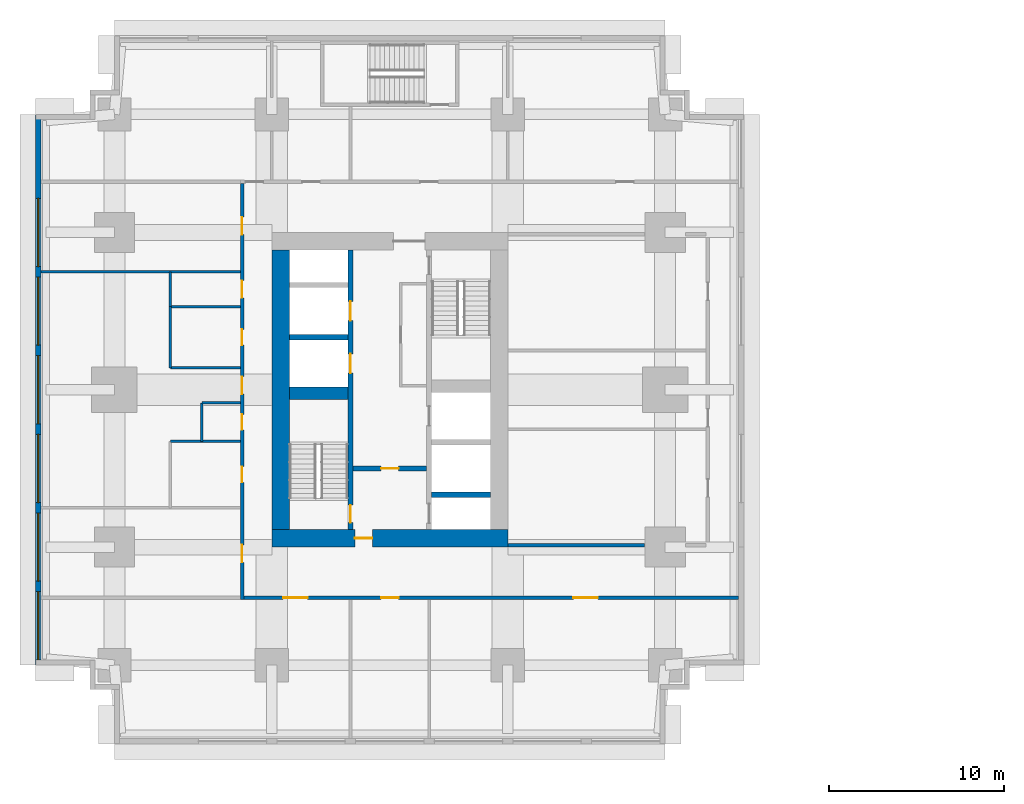
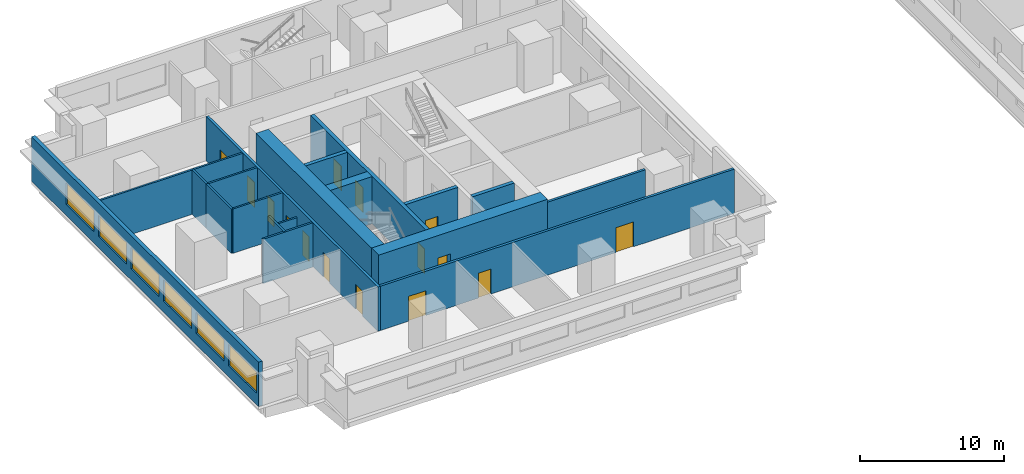
# One storey, part 3 of 11: 19 walls, 15 doors, 6 windows, 21 openings.
"""IFC4 building model written with IfcOpenShell, lengths in metres."""

from ifc_helpers import new_model, si_unit, direction, frame, frame_2d, origin, place, context, subcontext, project, spatial, rectangle, extrude, material, layer, layer_set, type_object, element, fill, save


model = new_model("IFC4")

# Units and contexts
model_context = context("Model", 3, precision=1e-05, world=origin(), true_north=direction((0.0, 1.0)))
body_context = subcontext(model_context, "Body", "Model", "MODEL_VIEW")
ifc_project = project(units=[si_unit("LENGTHUNIT", "METRE"), si_unit("AREAUNIT", "SQUARE_METRE"), si_unit("VOLUMEUNIT", "CUBIC_METRE"), si_unit("PLANEANGLEUNIT", "RADIAN"), si_unit("MASSUNIT", "GRAM", prefix="KILO")], contexts=[model_context])

# Site, building, storey
site_placement = place(None, origin())
site = spatial("IfcSite", under=ifc_project, at=site_placement, CompositionType="ELEMENT")
building_placement = place(site_placement, origin())
building = spatial("IfcBuilding", under=site, at=building_placement, Name="Namib Vertical Campus", CompositionType="ELEMENT")
storey_placement = place(building_placement, frame((0.0, 0.0, 101.0)))
storey = spatial("IfcBuildingStorey", under=building, at=storey_placement, Name="L23", CompositionType="ELEMENT", Elevation=101.0)

# Wall, openings, doors
ifc_material_1 = material(Name="Concrete C60/75", Category="concrete")
ifc_layer_1 = layer(ifc_material_1, 0.300048828125)
ifc_layer_set_1 = layer_set([ifc_layer_1], Name="Concrete C60/75")
wall_type_1 = type_object("IfcWallType", Name="Core inner wall 300", PredefinedType="SHEAR", material=ifc_layer_set_1)
wall_1_placement = place(storey_placement, frame((18.0, 12.25, 0.0), z_axis=(0.0, 0.0, 1.0), x_axis=(0.0, 1.0, 0.0)))
wall_1 = element("IfcWall", 1, at=wall_1_placement, inside=storey, type_object=wall_type_1, Name="Core inner wall A L23 W1", PredefinedType="SHEAR", context=body_context, shape_type="SweptSolid", body=[
    extrude(rectangle(XDim=16.0, YDim=0.300048828125, at=frame_2d((8.0, 0.0))), origin(), (0.0, 0.0, 1.0), 4.0),
])
opening_1_placement = place(wall_1_placement, frame((0.39990234375, 0.0, 0.0)))
opening_1 = element("IfcOpeningElement", 2, at=opening_1_placement, cuts=wall_1, Name="Opening FD1", PredefinedType="OPENING", context=body_context, shape_type="SweptSolid", body=[
    extrude(rectangle(XDim=1.0, YDim=2.10009765625, at=frame_2d((0.5, 1.050048828125))), frame((0.0, 0.159912109375, 0.0), z_axis=(0.0, -1.0, 0.0), x_axis=(1.0, 0.0, 0.0)), (0.0, 0.0, 1.0), 0.320068359375),
])
opening_2_placement = place(wall_1_placement, frame((8.949951171875, 0.0, 0.0)))
opening_2 = element("IfcOpeningElement", 3, at=opening_2_placement, cuts=wall_1, Name="Opening LD1", PredefinedType="OPENING", context=body_context, shape_type="SweptSolid", body=[
    extrude(rectangle(XDim=1.10009765625, YDim=2.10009765625, at=frame_2d((0.550048828125, 1.050048828125))), frame((0.0, 0.159912109375, 0.0), z_axis=(0.0, -1.0, 0.0), x_axis=(1.0, 0.0, 0.0)), (0.0, 0.0, 1.0), 0.320068359375),
])
opening_3_placement = place(wall_1_placement, frame((11.949951171875, 0.0, 0.0)))
opening_3 = element("IfcOpeningElement", 4, at=opening_3_placement, cuts=wall_1, Name="Opening LD1", PredefinedType="OPENING", context=body_context, shape_type="SweptSolid", body=[
    extrude(rectangle(XDim=1.10009765625, YDim=2.10009765625, at=frame_2d((0.550048828125, 1.050048828125))), frame((0.0, 0.159912109375, 0.0), z_axis=(0.0, -1.0, 0.0), x_axis=(1.0, 0.0, 0.0)), (0.0, 0.0, 1.0), 0.320068359375),
])
ifc_material_2 = material(Name="Steel fire door", Category="steel")
door_type_1 = type_object("IfcDoorType", Name="Fire door 1000x2100", OperationType="SINGLE_SWING_RIGHT", PredefinedType="DOOR", material=ifc_material_2)
door_1_placement = place(opening_1_placement, origin())
door_1 = element("IfcDoor", 5, at=door_1_placement, inside=storey, type_object=door_type_1, Name="Stair door FD1 A L23 S1", OperationType="SINGLE_SWING_LEFT", OverallHeight=2.10009765625, OverallWidth=1.0, PredefinedType="DOOR", context=body_context, shape_type="SweptSolid", body=[
    extrude(rectangle(XDim=1.0, YDim=2.10009765625, at=frame_2d((0.5, 1.050048828125))), frame((0.0, 0.02490234375, 0.0), z_axis=(0.0, -1.0, 0.0), x_axis=(1.0, 0.0, 0.0)), (0.0, 0.0, 1.0), 0.050048828125),
])
fill(opening_1, door_1)
ifc_material_3 = material(Name="Stainless steel lift door", Category="steel")
door_type_2 = type_object("IfcDoorType", Name="Lift landing door 1100x2100", OperationType="DOUBLE_DOOR_SLIDING", PredefinedType="DOOR", material=ifc_material_3)
door_2_placement = place(opening_2_placement, origin())
door_2 = element("IfcDoor", 6, at=door_2_placement, inside=storey, type_object=door_type_2, Name="Lift landing door LD1 A-P1 L23", OperationType="DOUBLE_DOOR_SLIDING", OverallHeight=2.10009765625, OverallWidth=1.10009765625, PredefinedType="DOOR", context=body_context, shape_type="SweptSolid", body=[
    extrude(rectangle(XDim=1.10009765625, YDim=2.10009765625, at=frame_2d((0.550048828125, 1.050048828125))), frame((0.0, 0.02490234375, 0.0), z_axis=(0.0, -1.0, 0.0), x_axis=(1.0, 0.0, 0.0)), (0.0, 0.0, 1.0), 0.050048828125),
])
fill(opening_2, door_2)
door_3_placement = place(opening_3_placement, origin())
door_3 = element("IfcDoor", 7, at=door_3_placement, inside=storey, type_object=door_type_2, Name="Lift landing door LD1 A-P2 L23", OperationType="DOUBLE_DOOR_SLIDING", OverallHeight=2.10009765625, OverallWidth=1.10009765625, PredefinedType="DOOR", context=body_context, shape_type="SweptSolid", body=[
    extrude(rectangle(XDim=1.10009765625, YDim=2.10009765625, at=frame_2d((0.550048828125, 1.050048828125))), frame((0.0, 0.02490234375, 0.0), z_axis=(0.0, -1.0, 0.0), x_axis=(1.0, 0.0, 0.0)), (0.0, 0.0, 1.0), 0.050048828125),
])
fill(opening_3, door_3)

# Wall, opening, door
wall_2_placement = place(storey_placement, frame((18.14990234375, 15.75, 0.0), z_axis=(0.0, 0.0, 1.0), x_axis=(1.0, 0.0, 0.0)))
wall_2 = element("IfcWall", 8, at=wall_2_placement, inside=storey, type_object=wall_type_1, Name="Core inner wall A L23 W4", PredefinedType="SHEAR", context=body_context, shape_type="SweptSolid", body=[
    extrude(rectangle(XDim=4.2001953125, YDim=0.300048828125, at=frame_2d((2.10009765625, 0.0))), origin(), (0.0, 0.0, 1.0), 4.0),
])
opening_4_placement = place(wall_2_placement, frame((1.60009765625, 0.0, 0.0)))
opening_4 = element("IfcOpeningElement", 9, at=opening_4_placement, cuts=wall_2, Name="Opening FD5", PredefinedType="OPENING", context=body_context, shape_type="SweptSolid", body=[
    extrude(rectangle(XDim=1.0, YDim=2.10009765625, at=frame_2d((0.5, 1.050048828125))), frame((0.0, 0.159912109375, 0.0), z_axis=(0.0, -1.0, 0.0), x_axis=(1.0, 0.0, 0.0)), (0.0, 0.0, 1.0), 0.320068359375),
])
ifc_material_4 = material(Name="Steel fire door", Category="steel")
door_type_3 = type_object("IfcDoorType", Name="Fire door 1000x2100 120 min", OperationType="SINGLE_SWING_RIGHT", PredefinedType="DOOR", material=ifc_material_4)
door_4_placement = place(opening_4_placement, frame((1.0, 0.0, 0.0), z_axis=(0.0, 0.0, 1.0), x_axis=(-1.0, 0.0, 0.0)))
door_4 = element("IfcDoor", 10, at=door_4_placement, inside=storey, type_object=door_type_3, Name="Lobby door FD5 A L23", OperationType="SINGLE_SWING_RIGHT", OverallHeight=2.10009765625, OverallWidth=1.0, PredefinedType="DOOR", context=body_context, shape_type="SweptSolid", body=[
    extrude(rectangle(XDim=1.0, YDim=2.10009765625, at=frame_2d((0.5, 1.050048828125))), frame((0.0, 0.02490234375, 0.0), z_axis=(0.0, -1.0, 0.0), x_axis=(1.0, 0.0, 0.0)), (0.0, 0.0, 1.0), 0.050048828125),
])
fill(opening_4, door_4)

# Walls
for number, where, z_axis, x_axis, name in (
    (11, (22.64990234375, 14.25, 0.0), (0.0, 0.0, 1.0), (1.0, 0.0, 0.0), "Core inner wall A L23 W5"),
    (12, (14.5, 23.25, 0.0), (0.0, 0.0, 1.0), (1.0, 0.0, 0.0), "Core inner wall A L23 W8"),
):
    element("IfcWall", number, at=place(storey_placement, frame(where, z_axis=z_axis, x_axis=x_axis)), inside=storey, type_object=wall_type_1, Name=name, PredefinedType="SHEAR", context=body_context, shape_type="SweptSolid", body=[
        extrude(rectangle(XDim=3.35009765625, YDim=0.300048828125, at=frame_2d((1.675048828125, 0.0))), origin(), (0.0, 0.0, 1.0), 4.0),
    ])
ifc_material_5 = material(Name="Concrete C60/75", Category="concrete")
ifc_layer_2 = layer(ifc_material_5, 0.699951171875)
ifc_layer_set_2 = layer_set([ifc_layer_2], Name="Concrete C60/75")
wall_type_2 = type_object("IfcWallType", Name="Core shear wall 700", PredefinedType="SHEAR", material=ifc_layer_set_2)
wall_3_placement = place(storey_placement, frame((14.5, 20.050048828125, 0.0), z_axis=(0.0, 0.0, 1.0), x_axis=(1.0, 0.0, 0.0)))
element("IfcWall", 13, at=wall_3_placement, inside=storey, type_object=wall_type_2, Name="Core shear wall A L23 W3", PredefinedType="SHEAR", context=body_context, shape_type="SweptSolid", body=[
    extrude(rectangle(XDim=3.35009765625, YDim=0.699951171875, at=frame_2d((1.675048828125, 0.0))), origin(), (0.0, 0.0, 1.0), 4.0),
])

# Wall, opening, door
ifc_material_6 = material(Name="Concrete C60/75", Category="concrete")
ifc_layer_3 = layer(ifc_material_6, 1.0)
ifc_layer_set_3 = layer_set([ifc_layer_3], Name="Concrete C60/75")
wall_type_3 = type_object("IfcWallType", Name="Core wall 1000", PredefinedType="SHEAR", material=ifc_layer_set_3)
wall_4_placement = place(storey_placement, frame((13.5, 11.75, 0.0), z_axis=(0.0, 0.0, 1.0), x_axis=(1.0, 0.0, 0.0)))
wall_4 = element("IfcWall", 14, at=wall_4_placement, inside=storey, type_object=wall_type_3, Name="Core wall A L23 1", PredefinedType="SHEAR", context=body_context, shape_type="SweptSolid", body=[
    extrude(rectangle(XDim=13.5, YDim=1.0, at=frame_2d((6.75, 0.0))), origin(), (0.0, 0.0, 1.0), 4.0),
])
opening_5_placement = place(wall_4_placement, frame((4.75, 0.0, 0.0)))
opening_5 = element("IfcOpeningElement", 15, at=opening_5_placement, cuts=wall_4, Name="Opening FD5", PredefinedType="OPENING", context=body_context, shape_type="SweptSolid", body=[
    extrude(rectangle(XDim=1.0, YDim=2.10009765625, at=frame_2d((0.5, 1.050048828125))), frame((0.0, 0.510009765625, 0.0), z_axis=(0.0, -1.0, 0.0), x_axis=(1.0, 0.0, 0.0)), (0.0, 0.0, 1.0), 1.02001953125),
])
door_5_placement = place(opening_5_placement, origin())
door_5 = element("IfcDoor", 16, at=door_5_placement, inside=storey, type_object=door_type_3, Name="Firefighting lobby door FD5 A L23", OperationType="SINGLE_SWING_LEFT", OverallHeight=2.10009765625, OverallWidth=1.0, PredefinedType="DOOR", context=body_context, shape_type="SweptSolid", body=[
    extrude(rectangle(XDim=1.0, YDim=2.10009765625, at=frame_2d((0.5, 1.050048828125))), frame((0.0, 0.02490234375, 0.0), z_axis=(0.0, -1.0, 0.0), x_axis=(1.0, 0.0, 0.0)), (0.0, 0.0, 1.0), 0.050048828125),
])
fill(opening_5, door_5)

# Wall
wall_5_placement = place(storey_placement, frame((14.0, 28.25, 0.0), z_axis=(0.0, 0.0, 1.0), x_axis=(0.0, -1.0, 0.0)))
element("IfcWall", 17, at=wall_5_placement, inside=storey, type_object=wall_type_3, Name="Core wall A L23 4", PredefinedType="SHEAR", context=body_context, shape_type="SweptSolid", body=[
    extrude(rectangle(XDim=16.0, YDim=1.0, at=frame_2d((8.0, 0.0))), origin(), (0.0, 0.0, 1.0), 4.0),
])

# Wall, openings, doors
ifc_material_7 = material(Name="Concrete masonry", Category="masonry")
ifc_layer_4 = layer(ifc_material_7, 0.199951171875)
ifc_layer_set_4 = layer_set([ifc_layer_4], Name="Corridor wall 200")
wall_type_4 = type_object("IfcWallType", Name="Corridor wall 200", PredefinedType="SOLIDWALL", material=ifc_layer_set_4)
wall_6_placement = place(storey_placement, frame((11.89990234375, 8.35009765625, 0.0), z_axis=(0.0, 0.0, 1.0), x_axis=(1.0, 0.0, 0.0)))
wall_6 = element("IfcWall", 18, at=wall_6_placement, inside=storey, type_object=wall_type_4, Name="Corridor wall A L23 CS", PredefinedType="SOLIDWALL", context=body_context, shape_type="SweptSolid", body=[
    extrude(rectangle(XDim=28.300048828125, YDim=0.199951171875, at=frame_2d((14.14990234375, 0.0))), origin(), (0.0, 0.0, 1.0), 3.75),
])
opening_6_placement = place(wall_6_placement, frame((2.25, 0.0, 0.0)))
opening_6 = element("IfcOpeningElement", 19, at=opening_6_placement, cuts=wall_6, Name="Opening LB1", PredefinedType="OPENING", context=body_context, shape_type="SweptSolid", body=[
    extrude(rectangle(XDim=1.39990234375, YDim=2.10009765625, at=frame_2d((0.699951171875, 1.050048828125))), frame((0.0, 0.10986328125, 0.0), z_axis=(0.0, -1.0, 0.0), x_axis=(1.0, 0.0, 0.0)), (0.0, 0.0, 1.0), 0.219970703125),
])
opening_7_placement = place(wall_6_placement, frame((7.85009765625, 0.0, 0.0)))
opening_7 = element("IfcOpeningElement", 20, at=opening_7_placement, cuts=wall_6, Name="Opening CD1", PredefinedType="OPENING", context=body_context, shape_type="SweptSolid", body=[
    extrude(rectangle(XDim=1.0, YDim=2.10009765625, at=frame_2d((0.5, 1.050048828125))), frame((0.0, 0.10986328125, 0.0), z_axis=(0.0, -1.0, 0.0), x_axis=(1.0, 0.0, 0.0)), (0.0, 0.0, 1.0), 0.219970703125),
])
opening_8_placement = place(wall_6_placement, frame((18.85009765625, 0.0, 0.0)))
opening_8 = element("IfcOpeningElement", 21, at=opening_8_placement, cuts=wall_6, Name="Opening LB1", PredefinedType="OPENING", context=body_context, shape_type="SweptSolid", body=[
    extrude(rectangle(XDim=1.39990234375, YDim=2.10009765625, at=frame_2d((0.699951171875, 1.050048828125))), frame((0.0, 0.10986328125, 0.0), z_axis=(0.0, -1.0, 0.0), x_axis=(1.0, 0.0, 0.0)), (0.0, 0.0, 1.0), 0.219970703125),
])
ifc_material_8 = material(Name="Timber fire door leaf", Category="wood")
door_type_4 = type_object("IfcDoorType", Name="Corridor door 1000x2100 20 min", OperationType="SINGLE_SWING_LEFT", PredefinedType="DOOR", material=ifc_material_8)
door_6_placement = place(opening_7_placement, frame((1.0, 0.0, 0.0), z_axis=(0.0, 0.0, 1.0), x_axis=(-1.0, 0.0, 0.0)))
door_6 = element("IfcDoor", 22, at=door_6_placement, inside=storey, type_object=door_type_4, Name="Door CD1 A23-02", OperationType="SINGLE_SWING_RIGHT", OverallHeight=2.10009765625, OverallWidth=1.0, PredefinedType="DOOR", context=body_context, shape_type="SweptSolid", body=[
    extrude(rectangle(XDim=1.0, YDim=2.10009765625, at=frame_2d((0.5, 1.050048828125))), frame((0.0, 0.02490234375, 0.0), z_axis=(0.0, -1.0, 0.0), x_axis=(1.0, 0.0, 0.0)), (0.0, 0.0, 1.0), 0.050048828125),
])
fill(opening_7, door_6)
ifc_material_9 = material(Name="Timber fire door leaf", Category="wood")
door_type_5 = type_object("IfcDoorType", Name="Laboratory door 1400x2100 leaf and a half", OperationType="DOUBLE_DOOR_SINGLE_SWING", PredefinedType="DOOR", material=ifc_material_9)
door_7_placement = place(opening_6_placement, frame((1.39990234375, 0.0, 0.0), z_axis=(0.0, 0.0, 1.0), x_axis=(-1.0, 0.0, 0.0)))
door_7 = element("IfcDoor", 23, at=door_7_placement, inside=storey, type_object=door_type_5, Name="Door LB1 A23-01", OperationType="DOUBLE_DOOR_SINGLE_SWING", OverallHeight=2.10009765625, OverallWidth=1.39990234375, PredefinedType="DOOR", context=body_context, shape_type="SweptSolid", body=[
    extrude(rectangle(XDim=1.39990234375, YDim=2.10009765625, at=frame_2d((0.699951171875, 1.050048828125))), frame((0.0, 0.02490234375, 0.0), z_axis=(0.0, -1.0, 0.0), x_axis=(1.0, 0.0, 0.0)), (0.0, 0.0, 1.0), 0.050048828125),
])
fill(opening_6, door_7)
door_8_placement = place(opening_8_placement, frame((1.39990234375, 0.0, 0.0), z_axis=(0.0, 0.0, 1.0), x_axis=(-1.0, 0.0, 0.0)))
door_8 = element("IfcDoor", 24, at=door_8_placement, inside=storey, type_object=door_type_5, Name="Door LB1 A23-03", OperationType="DOUBLE_DOOR_SINGLE_SWING", OverallHeight=2.10009765625, OverallWidth=1.39990234375, PredefinedType="DOOR", context=body_context, shape_type="SweptSolid", body=[
    extrude(rectangle(XDim=1.39990234375, YDim=2.10009765625, at=frame_2d((0.699951171875, 1.050048828125))), frame((0.0, 0.02490234375, 0.0), z_axis=(0.0, -1.0, 0.0), x_axis=(1.0, 0.0, 0.0)), (0.0, 0.0, 1.0), 0.050048828125),
])
fill(opening_8, door_8)

wall_7_placement = place(storey_placement, frame((11.800048828125, 32.050048828125, 0.0), z_axis=(0.0, 0.0, 1.0), x_axis=(0.0, -1.0, 0.0)))
wall_7 = element("IfcWall", 25, at=wall_7_placement, inside=storey, type_object=wall_type_4, Name="Corridor wall A L23 CW", PredefinedType="SOLIDWALL", context=body_context, shape_type="SweptSolid", body=[
    extrude(rectangle(XDim=23.800048828125, YDim=0.199951171875, at=frame_2d((11.89990234375, 0.0))), origin(), (0.0, 0.0, 1.0), 3.75),
])
opening_9_placement = place(wall_7_placement, frame((20.675048828125, 0.0, 0.0)))
opening_9 = element("IfcOpeningElement", 26, at=opening_9_placement, cuts=wall_7, Name="Opening CD1", PredefinedType="OPENING", context=body_context, shape_type="SweptSolid", body=[
    extrude(rectangle(XDim=1.0, YDim=2.10009765625, at=frame_2d((0.5, 1.050048828125))), frame((0.0, 0.10986328125, 0.0), z_axis=(0.0, -1.0, 0.0), x_axis=(1.0, 0.0, 0.0)), (0.0, 0.0, 1.0), 0.219970703125),
])
opening_10_placement = place(wall_7_placement, frame((16.199951171875, 0.0, 0.0)))
opening_10 = element("IfcOpeningElement", 27, at=opening_10_placement, cuts=wall_7, Name="Opening CD3", PredefinedType="OPENING", context=body_context, shape_type="SweptSolid", body=[
    extrude(rectangle(XDim=0.89990234375, YDim=2.10009765625, at=frame_2d((0.449951171875, 1.050048828125))), frame((0.0, 0.10986328125, 0.0), z_axis=(0.0, -1.0, 0.0), x_axis=(1.0, 0.0, 0.0)), (0.0, 0.0, 1.0), 0.219970703125),
])
opening_11_placement = place(wall_7_placement, frame((13.199951171875, 0.0, 0.0)))
opening_11 = element("IfcOpeningElement", 28, at=opening_11_placement, cuts=wall_7, Name="Opening CD3", PredefinedType="OPENING", context=body_context, shape_type="SweptSolid", body=[
    extrude(rectangle(XDim=0.89990234375, YDim=2.10009765625, at=frame_2d((0.449951171875, 1.050048828125))), frame((0.0, 0.10986328125, 0.0), z_axis=(0.0, -1.0, 0.0), x_axis=(1.0, 0.0, 0.0)), (0.0, 0.0, 1.0), 0.219970703125),
])
opening_12_placement = place(wall_7_placement, frame((8.35009765625, 0.0, 0.0)))
opening_12 = element("IfcOpeningElement", 29, at=opening_12_placement, cuts=wall_7, Name="Opening CD3", PredefinedType="OPENING", context=body_context, shape_type="SweptSolid", body=[
    extrude(rectangle(XDim=0.89990234375, YDim=2.10009765625, at=frame_2d((0.449951171875, 1.050048828125))), frame((0.0, 0.10986328125, 0.0), z_axis=(0.0, -1.0, 0.0), x_axis=(1.0, 0.0, 0.0)), (0.0, 0.0, 1.0), 0.219970703125),
])
opening_13_placement = place(wall_7_placement, frame((5.550048828125, 0.0, 0.0)))
opening_13 = element("IfcOpeningElement", 30, at=opening_13_placement, cuts=wall_7, Name="Opening CD1", PredefinedType="OPENING", context=body_context, shape_type="SweptSolid", body=[
    extrude(rectangle(XDim=1.0, YDim=2.10009765625, at=frame_2d((0.5, 1.050048828125))), frame((0.0, 0.10986328125, 0.0), z_axis=(0.0, -1.0, 0.0), x_axis=(1.0, 0.0, 0.0)), (0.0, 0.0, 1.0), 0.219970703125),
])
opening_14_placement = place(wall_7_placement, frame((11.050048828125, 0.0, 0.0)))
opening_14 = element("IfcOpeningElement", 31, at=opening_14_placement, cuts=wall_7, Name="Opening CD1", PredefinedType="OPENING", context=body_context, shape_type="SweptSolid", body=[
    extrude(rectangle(XDim=1.0, YDim=2.10009765625, at=frame_2d((0.5, 1.050048828125))), frame((0.0, 0.10986328125, 0.0), z_axis=(0.0, -1.0, 0.0), x_axis=(1.0, 0.0, 0.0)), (0.0, 0.0, 1.0), 0.219970703125),
])
opening_15_placement = place(wall_7_placement, frame((1.925048828125, 0.0, 0.0)))
opening_15 = element("IfcOpeningElement", 32, at=opening_15_placement, cuts=wall_7, Name="Opening CD1", PredefinedType="OPENING", context=body_context, shape_type="SweptSolid", body=[
    extrude(rectangle(XDim=1.0, YDim=2.10009765625, at=frame_2d((0.5, 1.050048828125))), frame((0.0, 0.10986328125, 0.0), z_axis=(0.0, -1.0, 0.0), x_axis=(1.0, 0.0, 0.0)), (0.0, 0.0, 1.0), 0.219970703125),
])
door_9_placement = place(opening_9_placement, frame((1.0, 0.0, 0.0), z_axis=(0.0, 0.0, 1.0), x_axis=(-1.0, 0.0, 0.0)))
door_9 = element("IfcDoor", 33, at=door_9_placement, inside=storey, type_object=door_type_4, Name="Door CD1 A23-11", OperationType="SINGLE_SWING_RIGHT", OverallHeight=2.10009765625, OverallWidth=1.0, PredefinedType="DOOR", context=body_context, shape_type="SweptSolid", body=[
    extrude(rectangle(XDim=1.0, YDim=2.10009765625, at=frame_2d((0.5, 1.050048828125))), frame((0.0, 0.02490234375, 0.0), z_axis=(0.0, -1.0, 0.0), x_axis=(1.0, 0.0, 0.0)), (0.0, 0.0, 1.0), 0.050048828125),
])
fill(opening_9, door_9)
door_10_placement = place(opening_13_placement, frame((1.0, 0.0, 0.0), z_axis=(0.0, 0.0, 1.0), x_axis=(-1.0, 0.0, 0.0)))
door_10 = element("IfcDoor", 34, at=door_10_placement, inside=storey, type_object=door_type_4, Name="Door CD1 A23-15", OperationType="SINGLE_SWING_RIGHT", OverallHeight=2.10009765625, OverallWidth=1.0, PredefinedType="DOOR", context=body_context, shape_type="SweptSolid", body=[
    extrude(rectangle(XDim=1.0, YDim=2.10009765625, at=frame_2d((0.5, 1.050048828125))), frame((0.0, 0.02490234375, 0.0), z_axis=(0.0, -1.0, 0.0), x_axis=(1.0, 0.0, 0.0)), (0.0, 0.0, 1.0), 0.050048828125),
])
fill(opening_13, door_10)
door_11_placement = place(opening_14_placement, frame((1.0, 0.0, 0.0), z_axis=(0.0, 0.0, 1.0), x_axis=(-1.0, 0.0, 0.0)))
door_11 = element("IfcDoor", 35, at=door_11_placement, inside=storey, type_object=door_type_4, Name="Door CD1 A23-16", OperationType="SINGLE_SWING_RIGHT", OverallHeight=2.10009765625, OverallWidth=1.0, PredefinedType="DOOR", context=body_context, shape_type="SweptSolid", body=[
    extrude(rectangle(XDim=1.0, YDim=2.10009765625, at=frame_2d((0.5, 1.050048828125))), frame((0.0, 0.02490234375, 0.0), z_axis=(0.0, -1.0, 0.0), x_axis=(1.0, 0.0, 0.0)), (0.0, 0.0, 1.0), 0.050048828125),
])
fill(opening_14, door_11)
door_12_placement = place(opening_15_placement, frame((1.0, 0.0, 0.0), z_axis=(0.0, 0.0, 1.0), x_axis=(-1.0, 0.0, 0.0)))
door_12 = element("IfcDoor", 36, at=door_12_placement, inside=storey, type_object=door_type_4, Name="Door CD1 A23-17", OperationType="SINGLE_SWING_RIGHT", OverallHeight=2.10009765625, OverallWidth=1.0, PredefinedType="DOOR", context=body_context, shape_type="SweptSolid", body=[
    extrude(rectangle(XDim=1.0, YDim=2.10009765625, at=frame_2d((0.5, 1.050048828125))), frame((0.0, 0.02490234375, 0.0), z_axis=(0.0, -1.0, 0.0), x_axis=(1.0, 0.0, 0.0)), (0.0, 0.0, 1.0), 0.050048828125),
])
fill(opening_15, door_12)
ifc_material_10 = material(Name="Timber fire door leaf", Category="wood")
door_type_6 = type_object("IfcDoorType", Name="Corridor toilet door 900x2100 20 min", OperationType="SINGLE_SWING_LEFT", PredefinedType="DOOR", material=ifc_material_10)
door_13_placement = place(opening_10_placement, frame((0.89990234375, 0.0, 0.0), z_axis=(0.0, 0.0, 1.0), x_axis=(-1.0, 0.0, 0.0)))
door_13 = element("IfcDoor", 37, at=door_13_placement, inside=storey, type_object=door_type_6, Name="Door CD3 A23-12", OperationType="SINGLE_SWING_RIGHT", OverallHeight=2.10009765625, OverallWidth=0.89990234375, PredefinedType="DOOR", context=body_context, shape_type="SweptSolid", body=[
    extrude(rectangle(XDim=0.89990234375, YDim=2.10009765625, at=frame_2d((0.449951171875, 1.050048828125))), frame((0.0, 0.02490234375, 0.0), z_axis=(0.0, -1.0, 0.0), x_axis=(1.0, 0.0, 0.0)), (0.0, 0.0, 1.0), 0.050048828125),
])
fill(opening_10, door_13)
door_14_placement = place(opening_11_placement, frame((0.89990234375, 0.0, 0.0), z_axis=(0.0, 0.0, 1.0), x_axis=(-1.0, 0.0, 0.0)))
door_14 = element("IfcDoor", 38, at=door_14_placement, inside=storey, type_object=door_type_6, Name="Door CD3 A23-13", OperationType="SINGLE_SWING_RIGHT", OverallHeight=2.10009765625, OverallWidth=0.89990234375, PredefinedType="DOOR", context=body_context, shape_type="SweptSolid", body=[
    extrude(rectangle(XDim=0.89990234375, YDim=2.10009765625, at=frame_2d((0.449951171875, 1.050048828125))), frame((0.0, 0.02490234375, 0.0), z_axis=(0.0, -1.0, 0.0), x_axis=(1.0, 0.0, 0.0)), (0.0, 0.0, 1.0), 0.050048828125),
])
fill(opening_11, door_14)
door_15_placement = place(opening_12_placement, frame((0.89990234375, 0.0, 0.0), z_axis=(0.0, 0.0, 1.0), x_axis=(-1.0, 0.0, 0.0)))
door_15 = element("IfcDoor", 39, at=door_15_placement, inside=storey, type_object=door_type_6, Name="Door CD3 A23-14", OperationType="SINGLE_SWING_RIGHT", OverallHeight=2.10009765625, OverallWidth=0.89990234375, PredefinedType="DOOR", context=body_context, shape_type="SweptSolid", body=[
    extrude(rectangle(XDim=0.89990234375, YDim=2.10009765625, at=frame_2d((0.449951171875, 1.050048828125))), frame((0.0, 0.02490234375, 0.0), z_axis=(0.0, -1.0, 0.0), x_axis=(1.0, 0.0, 0.0)), (0.0, 0.0, 1.0), 0.050048828125),
])
fill(opening_12, door_15)

# Wall
wall_8_placement = place(storey_placement, frame((27.0, 11.35009765625, 0.0), z_axis=(0.0, 0.0, 1.0), x_axis=(1.0, 0.0, 0.0)))
element("IfcWall", 40, at=wall_8_placement, inside=storey, type_object=wall_type_4, Name="Corridor wall A L23 GS", PredefinedType="SOLIDWALL", context=body_context, shape_type="SweptSolid", body=[
    extrude(rectangle(XDim=7.830078125, YDim=0.199951171875, at=frame_2d((3.9150390625, 0.0))), origin(), (0.0, 0.0, 1.0), 3.75),
])

# Wall, openings, windows
ifc_material_11 = material(Name="Concrete C40/50", Category="concrete")
ifc_layer_5 = layer(ifc_material_11, 0.300048828125)
ifc_layer_set_5 = layer_set([ifc_layer_5], Name="Concrete C40/50")
wall_type_5 = type_object("IfcWallType", Name="External wall 300 board-marked concrete", PredefinedType="STANDARD", material=ifc_layer_set_5)
wall_9_placement = place(storey_placement, frame((0.14990234375, 35.97998046875, 0.0), z_axis=(0.0, 0.0, 1.0), x_axis=(0.0, -1.0, 0.0)))
wall_9 = element("IfcWall", 41, at=wall_9_placement, inside=storey, type_object=wall_type_5, Name="External wall L23 F16", PredefinedType="STANDARD", context=body_context, shape_type="SweptSolid", body=[
    extrude(rectangle(XDim=31.4599609375, YDim=0.300048828125, at=frame_2d((15.72998046875, 0.0))), origin(), (0.0, 0.0, 1.0), 3.75),
])
opening_16_placement = place(wall_9_placement, frame((27.280029296875, 0.0, 0.949951171875)))
opening_16 = element("IfcOpeningElement", 42, at=opening_16_placement, cuts=wall_9, Name="Opening W3", PredefinedType="OPENING", context=body_context, shape_type="SweptSolid", body=[
    extrude(rectangle(XDim=3.89990234375, YDim=1.800048828125, at=frame_2d((1.949951171875, 0.89990234375))), frame((0.0, 0.159912109375, 0.0), z_axis=(0.0, -1.0, 0.0), x_axis=(1.0, 0.0, 0.0)), (0.0, 0.0, 1.0), 0.320068359375),
])
opening_17_placement = place(wall_9_placement, frame((22.780029296875, 0.0, 0.949951171875)))
opening_17 = element("IfcOpeningElement", 43, at=opening_17_placement, cuts=wall_9, Name="Opening W3", PredefinedType="OPENING", context=body_context, shape_type="SweptSolid", body=[
    extrude(rectangle(XDim=3.89990234375, YDim=1.800048828125, at=frame_2d((1.949951171875, 0.89990234375))), frame((0.0, 0.159912109375, 0.0), z_axis=(0.0, -1.0, 0.0), x_axis=(1.0, 0.0, 0.0)), (0.0, 0.0, 1.0), 0.320068359375),
])
opening_18_placement = place(wall_9_placement, frame((18.280029296875, 0.0, 0.949951171875)))
opening_18 = element("IfcOpeningElement", 44, at=opening_18_placement, cuts=wall_9, Name="Opening W3", PredefinedType="OPENING", context=body_context, shape_type="SweptSolid", body=[
    extrude(rectangle(XDim=3.89990234375, YDim=1.800048828125, at=frame_2d((1.949951171875, 0.89990234375))), frame((0.0, 0.159912109375, 0.0), z_axis=(0.0, -1.0, 0.0), x_axis=(1.0, 0.0, 0.0)), (0.0, 0.0, 1.0), 0.320068359375),
])
opening_19_placement = place(wall_9_placement, frame((13.780029296875, 0.0, 0.949951171875)))
opening_19 = element("IfcOpeningElement", 45, at=opening_19_placement, cuts=wall_9, Name="Opening W3", PredefinedType="OPENING", context=body_context, shape_type="SweptSolid", body=[
    extrude(rectangle(XDim=3.89990234375, YDim=1.800048828125, at=frame_2d((1.949951171875, 0.89990234375))), frame((0.0, 0.159912109375, 0.0), z_axis=(0.0, -1.0, 0.0), x_axis=(1.0, 0.0, 0.0)), (0.0, 0.0, 1.0), 0.320068359375),
])
opening_20_placement = place(wall_9_placement, frame((9.280029296875, 0.0, 0.949951171875)))
opening_20 = element("IfcOpeningElement", 46, at=opening_20_placement, cuts=wall_9, Name="Opening W3", PredefinedType="OPENING", context=body_context, shape_type="SweptSolid", body=[
    extrude(rectangle(XDim=3.89990234375, YDim=1.800048828125, at=frame_2d((1.949951171875, 0.89990234375))), frame((0.0, 0.159912109375, 0.0), z_axis=(0.0, -1.0, 0.0), x_axis=(1.0, 0.0, 0.0)), (0.0, 0.0, 1.0), 0.320068359375),
])
opening_21_placement = place(wall_9_placement, frame((4.780029296875, 0.0, 0.949951171875)))
opening_21 = element("IfcOpeningElement", 47, at=opening_21_placement, cuts=wall_9, Name="Opening W3", PredefinedType="OPENING", context=body_context, shape_type="SweptSolid", body=[
    extrude(rectangle(XDim=3.89990234375, YDim=1.800048828125, at=frame_2d((1.949951171875, 0.89990234375))), frame((0.0, 0.159912109375, 0.0), z_axis=(0.0, -1.0, 0.0), x_axis=(1.0, 0.0, 0.0)), (0.0, 0.0, 1.0), 0.320068359375),
])
ifc_material_12 = material(Name="Dark tinted glass in black aluminium frame", Category="aluminium")
window_type = type_object("IfcWindowType", Name="Ribbon window 3900x1800", PartitioningType="SINGLE_PANEL", PredefinedType="WINDOW", material=ifc_material_12)
window_1_placement = place(opening_16_placement, origin())
window_1 = element("IfcWindow", 48, at=window_1_placement, inside=storey, type_object=window_type, Name="Window W3 L23 F16-1", OverallHeight=1.800048828125, OverallWidth=3.89990234375, PartitioningType="SINGLE_PANEL", PredefinedType="WINDOW", context=body_context, shape_type="SweptSolid", body=[
    extrude(rectangle(XDim=3.89990234375, YDim=1.800048828125, at=frame_2d((1.949951171875, 0.89990234375))), frame((0.0, 0.030029296875, 0.0), z_axis=(0.0, -1.0, 0.0), x_axis=(1.0, 0.0, 0.0)), (0.0, 0.0, 1.0), 0.06005859375),
])
fill(opening_16, window_1)
window_2_placement = place(opening_17_placement, origin())
window_2 = element("IfcWindow", 49, at=window_2_placement, inside=storey, type_object=window_type, Name="Window W3 L23 F16-2", OverallHeight=1.800048828125, OverallWidth=3.89990234375, PartitioningType="SINGLE_PANEL", PredefinedType="WINDOW", context=body_context, shape_type="SweptSolid", body=[
    extrude(rectangle(XDim=3.89990234375, YDim=1.800048828125, at=frame_2d((1.949951171875, 0.89990234375))), frame((0.0, 0.030029296875, 0.0), z_axis=(0.0, -1.0, 0.0), x_axis=(1.0, 0.0, 0.0)), (0.0, 0.0, 1.0), 0.06005859375),
])
fill(opening_17, window_2)
window_3_placement = place(opening_18_placement, origin())
window_3 = element("IfcWindow", 50, at=window_3_placement, inside=storey, type_object=window_type, Name="Window W3 L23 F16-3", OverallHeight=1.800048828125, OverallWidth=3.89990234375, PartitioningType="SINGLE_PANEL", PredefinedType="WINDOW", context=body_context, shape_type="SweptSolid", body=[
    extrude(rectangle(XDim=3.89990234375, YDim=1.800048828125, at=frame_2d((1.949951171875, 0.89990234375))), frame((0.0, 0.030029296875, 0.0), z_axis=(0.0, -1.0, 0.0), x_axis=(1.0, 0.0, 0.0)), (0.0, 0.0, 1.0), 0.06005859375),
])
fill(opening_18, window_3)
window_4_placement = place(opening_19_placement, origin())
window_4 = element("IfcWindow", 51, at=window_4_placement, inside=storey, type_object=window_type, Name="Window W3 L23 F16-4", OverallHeight=1.800048828125, OverallWidth=3.89990234375, PartitioningType="SINGLE_PANEL", PredefinedType="WINDOW", context=body_context, shape_type="SweptSolid", body=[
    extrude(rectangle(XDim=3.89990234375, YDim=1.800048828125, at=frame_2d((1.949951171875, 0.89990234375))), frame((0.0, 0.030029296875, 0.0), z_axis=(0.0, -1.0, 0.0), x_axis=(1.0, 0.0, 0.0)), (0.0, 0.0, 1.0), 0.06005859375),
])
fill(opening_19, window_4)
window_5_placement = place(opening_20_placement, origin())
window_5 = element("IfcWindow", 52, at=window_5_placement, inside=storey, type_object=window_type, Name="Window W3 L23 F16-5", OverallHeight=1.800048828125, OverallWidth=3.89990234375, PartitioningType="SINGLE_PANEL", PredefinedType="WINDOW", context=body_context, shape_type="SweptSolid", body=[
    extrude(rectangle(XDim=3.89990234375, YDim=1.800048828125, at=frame_2d((1.949951171875, 0.89990234375))), frame((0.0, 0.030029296875, 0.0), z_axis=(0.0, -1.0, 0.0), x_axis=(1.0, 0.0, 0.0)), (0.0, 0.0, 1.0), 0.06005859375),
])
fill(opening_20, window_5)
window_6_placement = place(opening_21_placement, origin())
window_6 = element("IfcWindow", 53, at=window_6_placement, inside=storey, type_object=window_type, Name="Window W3 L23 F16-6", OverallHeight=1.800048828125, OverallWidth=3.89990234375, PartitioningType="SINGLE_PANEL", PredefinedType="WINDOW", context=body_context, shape_type="SweptSolid", body=[
    extrude(rectangle(XDim=3.89990234375, YDim=1.800048828125, at=frame_2d((1.949951171875, 0.89990234375))), frame((0.0, 0.030029296875, 0.0), z_axis=(0.0, -1.0, 0.0), x_axis=(1.0, 0.0, 0.0)), (0.0, 0.0, 1.0), 0.06005859375),
])
fill(opening_21, window_6)

# Walls
ifc_material_13 = material(Name="Gypsum board on steel studs", Category="steel")
ifc_layer_6 = layer(ifc_material_13, 0.14990234375)
ifc_layer_set_6 = layer_set([ifc_layer_6], Name="Gypsum board on steel studs")
wall_type_6 = type_object("IfcWallType", Name="Partition 150", PredefinedType="PARTITIONING", material=ifc_layer_set_6)
wall_10_placement = place(storey_placement, frame((0.300048828125, 27.0, 0.0), z_axis=(0.0, 0.0, 1.0), x_axis=(1.0, 0.0, 0.0)))
element("IfcWall", 54, at=wall_10_placement, inside=storey, type_object=wall_type_6, Name="Partition A L23 PW2", PredefinedType="PARTITIONING", context=body_context, shape_type="SweptSolid", body=[
    extrude(rectangle(XDim=11.39990234375, YDim=0.14990234375, at=frame_2d((5.699951171875, 0.0))), origin(), (0.0, 0.0, 1.0), 3.75),
])
wall_11_placement = place(storey_placement, frame((11.699951171875, 17.300048828125, 0.0), z_axis=(0.0, 0.0, 1.0), x_axis=(-1.0, 0.0, 0.0)))
element("IfcWall", 55, at=wall_11_placement, inside=storey, type_object=wall_type_6, Name="Partition A L23 WR1", PredefinedType="PARTITIONING", context=body_context, shape_type="SweptSolid", body=[
    extrude(rectangle(XDim=4.0, YDim=0.14990234375, at=frame_2d((2.0, 0.0))), origin(), (0.0, 0.0, 1.0), 3.75),
])
wall_12_placement = place(storey_placement, frame((11.699951171875, 19.5, 0.0), z_axis=(0.0, 0.0, 1.0), x_axis=(-1.0, 0.0, 0.0)))
element("IfcWall", 56, at=wall_12_placement, inside=storey, type_object=wall_type_6, Name="Partition A L23 WR2", PredefinedType="PARTITIONING", context=body_context, shape_type="SweptSolid", body=[
    extrude(rectangle(XDim=2.199951171875, YDim=0.14990234375, at=frame_2d((1.10009765625, 0.0))), origin(), (0.0, 0.0, 1.0), 2.85009765625),
])
for number, where, z_axis, x_axis, name in (
    (57, (11.699951171875, 21.5, 0.0), (0.0, 0.0, 1.0), (-1.0, 0.0, 0.0), "Partition A L23 WR3"),
    (58, (11.699951171875, 25.0, 0.0), (0.0, 0.0, 1.0), (-1.0, 0.0, 0.0), "Partition A L23 WR4"),
):
    element("IfcWall", number, at=place(storey_placement, frame(where, z_axis=z_axis, x_axis=x_axis)), inside=storey, type_object=wall_type_6, Name=name, PredefinedType="PARTITIONING", context=body_context, shape_type="SweptSolid", body=[
        extrude(rectangle(XDim=4.0, YDim=0.14990234375, at=frame_2d((2.0, 0.0))), origin(), (0.0, 0.0, 1.0), 3.75),
    ])
wall_13_placement = place(storey_placement, frame((9.5, 17.300048828125, 0.0), z_axis=(0.0, 0.0, 1.0), x_axis=(0.0, 1.0, 0.0)))
element("IfcWall", 59, at=wall_13_placement, inside=storey, type_object=wall_type_6, Name="Partition A L23 WB2", PredefinedType="PARTITIONING", context=body_context, shape_type="SweptSolid", body=[
    extrude(rectangle(XDim=2.199951171875, YDim=0.14990234375, at=frame_2d((1.10009765625, 0.0))), origin(), (0.0, 0.0, 1.0), 3.75),
])
wall_14_placement = place(storey_placement, frame((7.699951171875, 21.5, 0.0), z_axis=(0.0, 0.0, 1.0), x_axis=(0.0, 1.0, 0.0)))
element("IfcWall", 60, at=wall_14_placement, inside=storey, type_object=wall_type_6, Name="Partition A L23 WB3", PredefinedType="PARTITIONING", context=body_context, shape_type="SweptSolid", body=[
    extrude(rectangle(XDim=3.5, YDim=0.14990234375, at=frame_2d((1.75, 0.0))), origin(), (0.0, 0.0, 1.0), 3.75),
])
wall_15_placement = place(storey_placement, frame((7.699951171875, 25.0, 0.0), z_axis=(0.0, 0.0, 1.0), x_axis=(0.0, 1.0, 0.0)))
element("IfcWall", 61, at=wall_15_placement, inside=storey, type_object=wall_type_6, Name="Partition A L23 WB4", PredefinedType="PARTITIONING", context=body_context, shape_type="SweptSolid", body=[
    extrude(rectangle(XDim=2.0, YDim=0.14990234375, at=frame_2d((1.0, 0.0))), origin(), (0.0, 0.0, 1.0), 3.75),
])

save(model, "model.ifc")
